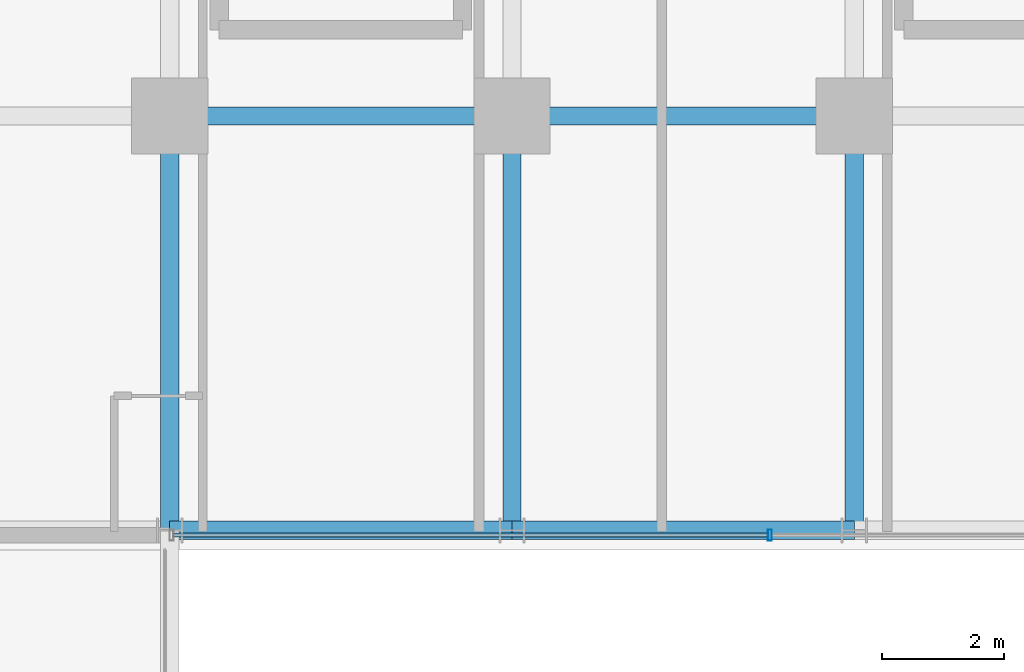
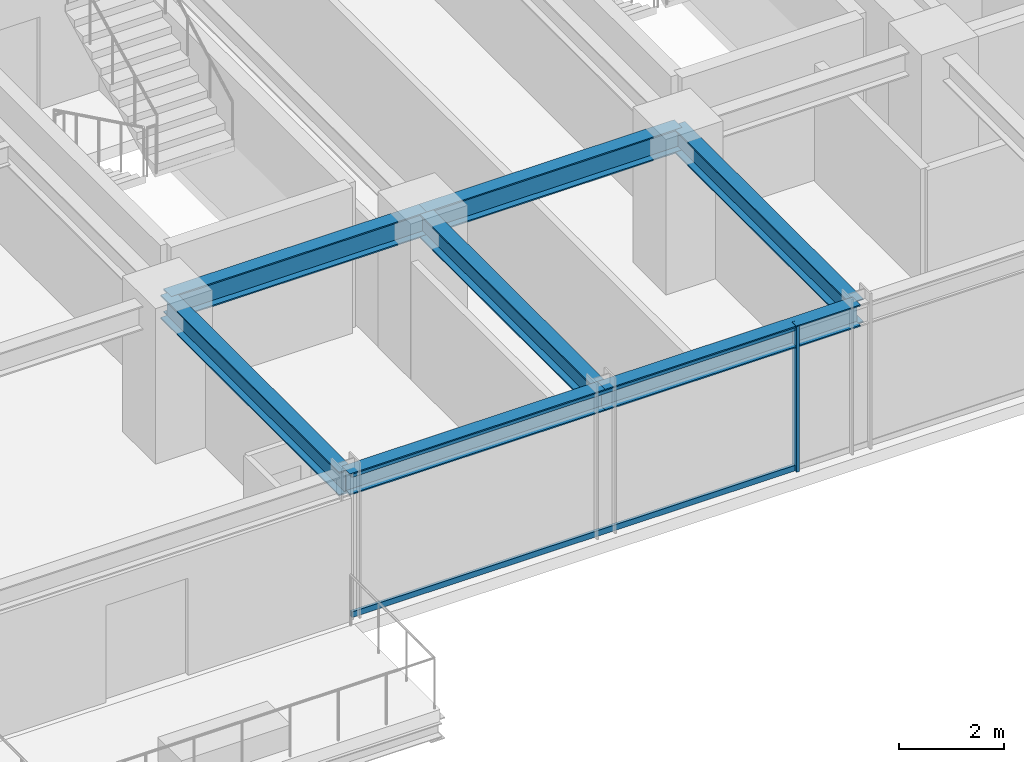
# One storey, part 6 of 32: 7 beams, 3 members, 1 element without a shape of its own.
"""IFC4 building model written with IfcOpenShell, lengths in metres."""

from ifc_helpers import new_model, si_unit, direction, frame, origin, origin_2d, place, context, subcontext, project, spatial, hollow_rectangle, i_section, extrude, source, transform, mapped, material, material_profile, profile_set, type_object, element, aggregate, save


model = new_model("IFC4")

# Units and contexts
model_context = context("Model", 3, precision=1e-05, world=origin(), true_north=direction((0.0, 1.0)))
body_context = subcontext(model_context, "Body", "Model", "MODEL_VIEW")
ifc_project = project(units=[si_unit("LENGTHUNIT", "METRE"), si_unit("AREAUNIT", "SQUARE_METRE"), si_unit("VOLUMEUNIT", "CUBIC_METRE"), si_unit("PLANEANGLEUNIT", "RADIAN"), si_unit("MASSUNIT", "GRAM", prefix="KILO")], contexts=[model_context])

# Site, building, storey
site_placement = place(None, origin())
site = spatial("IfcSite", under=ifc_project, at=site_placement, CompositionType="ELEMENT")
building_placement = place(site_placement, origin())
building = spatial("IfcBuilding", under=site, at=building_placement, Name="Nahalor Promenade Grand Hotel", CompositionType="ELEMENT")
storey_placement = place(building_placement, frame((0.0, 0.0, 110.199951171875)))
storey = spatial("IfcBuildingStorey", under=building, at=storey_placement, Name="L27", CompositionType="ELEMENT", Elevation=110.199951171875)

# Beams
ifc_material_1 = material(Name="Steel S355JR", Category="steel")
ifc_material_profile_1 = material_profile(ifc_material_1, i_section(OverallWidth=0.3, OverallDepth=0.5, WebThickness=0.0145, FlangeThickness=0.028, at=origin_2d()), Name="HEB 500")
ifc_profile_set_1 = profile_set([ifc_material_profile_1], Name="Steel S355JR")
beam_type_1 = type_object("IfcBeamType", Name="Beam-Spandrel-HEB500", PredefinedType="SPANDREL", material=ifc_profile_set_1)
shared_shape_1 = source(origin(), body_context, "Body", "SweptSolid", [
    extrude(i_section(OverallWidth=0.3, OverallDepth=0.5, WebThickness=0.0145, FlangeThickness=0.028, at=origin_2d()), origin(), (0.0, 0.0, 1.0), 5.599853515625),
])
beam_1_placement = place(storey_placement, frame((-8.39990234375, -23.780029296875, 3.130126953125), z_axis=(1.0, 0.0, 0.0), x_axis=(0.0, 1.0, 0.0)))
element("IfcBeam", 1, at=beam_1_placement, inside=storey, type_object=beam_type_1, Name="BM-L27-SP-S-1", PredefinedType="SPANDREL", context=body_context, shape_type="MappedRepresentation", body=[
    mapped(shared_shape_1, transform((0.0, 0.0, 0.0), scale=1.0)),
])
shared_shape_2 = source(origin(), body_context, "Body", "SweptSolid", [
    extrude(i_section(OverallWidth=0.3, OverallDepth=0.5, WebThickness=0.0145, FlangeThickness=0.028, at=origin_2d()), origin(), (0.0, 0.0, 1.0), 5.60009765625),
])
beam_2_placement = place(storey_placement, frame((-2.800048828125, -23.780029296875, 3.130126953125), z_axis=(1.0, 0.0, 0.0), x_axis=(0.0, 1.0, 0.0)))
element("IfcBeam", 2, at=beam_2_placement, inside=storey, type_object=beam_type_1, Name="BM-L27-SP-S-2", PredefinedType="SPANDREL", context=body_context, shape_type="MappedRepresentation", body=[
    mapped(shared_shape_2, transform((0.0, 0.0, 0.0), scale=1.0)),
])
ifc_material_profile_2 = material_profile(ifc_material_1, i_section(OverallWidth=0.3, OverallDepth=0.55, WebThickness=0.015, FlangeThickness=0.029, at=origin_2d()), Name="HEB 550")
ifc_profile_set_2 = profile_set([ifc_material_profile_2], Name="Steel S355JR")
beam_type_2 = type_object("IfcBeamType", Name="Beam-Girder-HEB550", PredefinedType="BEAM", material=ifc_profile_set_2)
shared_shape_3 = source(origin(), body_context, "Body", "SweptSolid", [
    extrude(i_section(OverallWidth=0.3, OverallDepth=0.55, WebThickness=0.015, FlangeThickness=0.029, at=origin_2d()), origin(), (0.0, 0.0, 1.0), 6.780029296875),
])
for number, where, z_axis, x_axis, name in (
    (3, (-8.39990234375, -23.780029296875, 3.10498046875), (0.0, 1.0, 0.0), (-1.0, 0.0, 0.0), "BM-L27-GY-1-0"),
    (4, (-2.800048828125, -23.780029296875, 3.10498046875), (0.0, 1.0, 0.0), (-1.0, 0.0, 0.0), "BM-L27-GY-2-0"),
    (5, (2.800048828125, -23.780029296875, 3.10498046875), (0.0, 1.0, 0.0), (-1.0, 0.0, 0.0), "BM-L27-GY-3-0"),
):
    element("IfcBeam", number, at=place(storey_placement, frame(where, z_axis=z_axis, x_axis=x_axis)), inside=storey, type_object=beam_type_2, Name=name, PredefinedType="BEAM", context=body_context, shape_type="MappedRepresentation", body=[
        mapped(shared_shape_3, transform((0.0, 0.0, 0.0), scale=1.0)),
    ])
shared_shape_4 = source(origin(), body_context, "Body", "SweptSolid", [
    extrude(i_section(OverallWidth=0.3, OverallDepth=0.55, WebThickness=0.015, FlangeThickness=0.029, at=origin_2d()), origin(), (0.0, 0.0, 1.0), 5.599853515625),
])
beam_3_placement = place(storey_placement, frame((-8.39990234375, -17.0, 3.10498046875), z_axis=(1.0, 0.0, 0.0), x_axis=(0.0, 1.0, 0.0)))
element("IfcBeam", 6, at=beam_3_placement, inside=storey, type_object=beam_type_2, Name="BM-L27-GX-0-2", PredefinedType="BEAM", context=body_context, shape_type="MappedRepresentation", body=[
    mapped(shared_shape_4, transform((0.0, 0.0, 0.0), scale=1.0)),
])
shared_shape_5 = source(origin(), body_context, "Body", "SweptSolid", [
    extrude(i_section(OverallWidth=0.3, OverallDepth=0.55, WebThickness=0.015, FlangeThickness=0.029, at=origin_2d()), origin(), (0.0, 0.0, 1.0), 5.60009765625),
])
beam_4_placement = place(storey_placement, frame((-2.800048828125, -17.0, 3.10498046875), z_axis=(1.0, 0.0, 0.0), x_axis=(0.0, 1.0, 0.0)))
element("IfcBeam", 7, at=beam_4_placement, inside=storey, type_object=beam_type_2, Name="BM-L27-GX-0-3", PredefinedType="BEAM", context=body_context, shape_type="MappedRepresentation", body=[
    mapped(shared_shape_5, transform((0.0, 0.0, 0.0), scale=1.0)),
])

# Curtain wall, members
ifc_material_2 = material(Name="Anodised Bronze Aluminium EN AW-6063 T6", Category="aluminium")
curtain_wall_type = type_object("IfcCurtainWallType", Name="CW2 Typical Hotel Flush Bronze Unitised Curtain Wall", PredefinedType="USERDEFINED", material=ifc_material_2)
curtain_wall_placement = place(storey_placement, origin())
curtain_wall = element("IfcCurtainWall", 8, at=curtain_wall_placement, inside=storey, type_object=curtain_wall_type, Name="L27 Curtain Wall CW-L27-S-3", ObjectType="UNITISED_CURTAIN_WALL", PredefinedType="USERDEFINED")
ifc_material_profile_3 = material_profile(ifc_material_2, hollow_rectangle(XDim=0.065, YDim=0.13, WallThickness=0.004, at=origin_2d()), Name="CWT 65x130x4")
ifc_profile_set_3 = profile_set([ifc_material_profile_3], Name="Anodised Bronze Aluminium EN AW-6063 T6")
member_type_1 = type_object("IfcMemberType", Name="CWT2 Typical Bronze Transom 65x130", PredefinedType="USERDEFINED", material=ifc_profile_set_3)
shared_shape_6 = source(origin(), body_context, "Body", "SweptSolid", [
    extrude(hollow_rectangle(XDim=0.065, YDim=0.13, WallThickness=0.004, at=origin_2d()), origin(), (0.0, 0.0, 1.0), 9.722412109375),
])
member_1_placement = place(storey_placement, frame((-8.3349609375, -23.860107421875, 0.06494140625), z_axis=(1.0, 0.0, 0.0), x_axis=(0.0, 1.0, 0.0)))
member_1 = element("IfcMember", 9, at=member_1_placement, type_object=member_type_1, Name="CW-L27-S-3 Transom 0-0", ObjectType="TRANSOM", PredefinedType="USERDEFINED", context=body_context, shape_type="MappedRepresentation", body=[
    mapped(shared_shape_6, transform((0.0, 0.0, 0.0), scale=1.0)),
])
member_2_placement = place(storey_placement, frame((-8.3349609375, -23.860107421875, 3.31494140625), z_axis=(1.0, 0.0, 0.0), x_axis=(0.0, 1.0, 0.0)))
member_2 = element("IfcMember", 10, at=member_2_placement, type_object=member_type_1, Name="CW-L27-S-3 Transom 0-1", ObjectType="TRANSOM", PredefinedType="USERDEFINED", context=body_context, shape_type="MappedRepresentation", body=[
    mapped(shared_shape_6, transform((0.0, 0.0, 0.0), scale=1.0)),
])
ifc_material_profile_4 = material_profile(ifc_material_2, hollow_rectangle(XDim=0.065, YDim=0.18, WallThickness=0.004, at=origin_2d()), Name="CWM 65x180x4")
ifc_profile_set_4 = profile_set([ifc_material_profile_4], Name="Anodised Bronze Aluminium EN AW-6063 T6")
member_type_2 = type_object("IfcMemberType", Name="CWM2 Typical Bronze Mullion 65x180", PredefinedType="MULLION", material=ifc_profile_set_4)
shared_shape_7 = source(origin(), body_context, "Body", "SweptSolid", [
    extrude(hollow_rectangle(XDim=0.065, YDim=0.18, WallThickness=0.004, at=origin_2d()), origin(), (0.0, 0.0, 1.0), 3.380126953125),
])
member_3_placement = place(storey_placement, frame((1.419921875, -23.860107421875, 0.0), z_axis=(0.0, 0.0, 1.0), x_axis=(1.0, 0.0, 0.0)))
member_3 = element("IfcMember", 11, at=member_3_placement, type_object=member_type_2, Name="CW-L27-S-3 Mullion 1", PredefinedType="MULLION", context=body_context, shape_type="MappedRepresentation", body=[
    mapped(shared_shape_7, transform((0.0, 0.0, 0.0), scale=1.0)),
])
aggregate(curtain_wall, [member_3, member_1, member_2])

save(model, "model.ifc")
